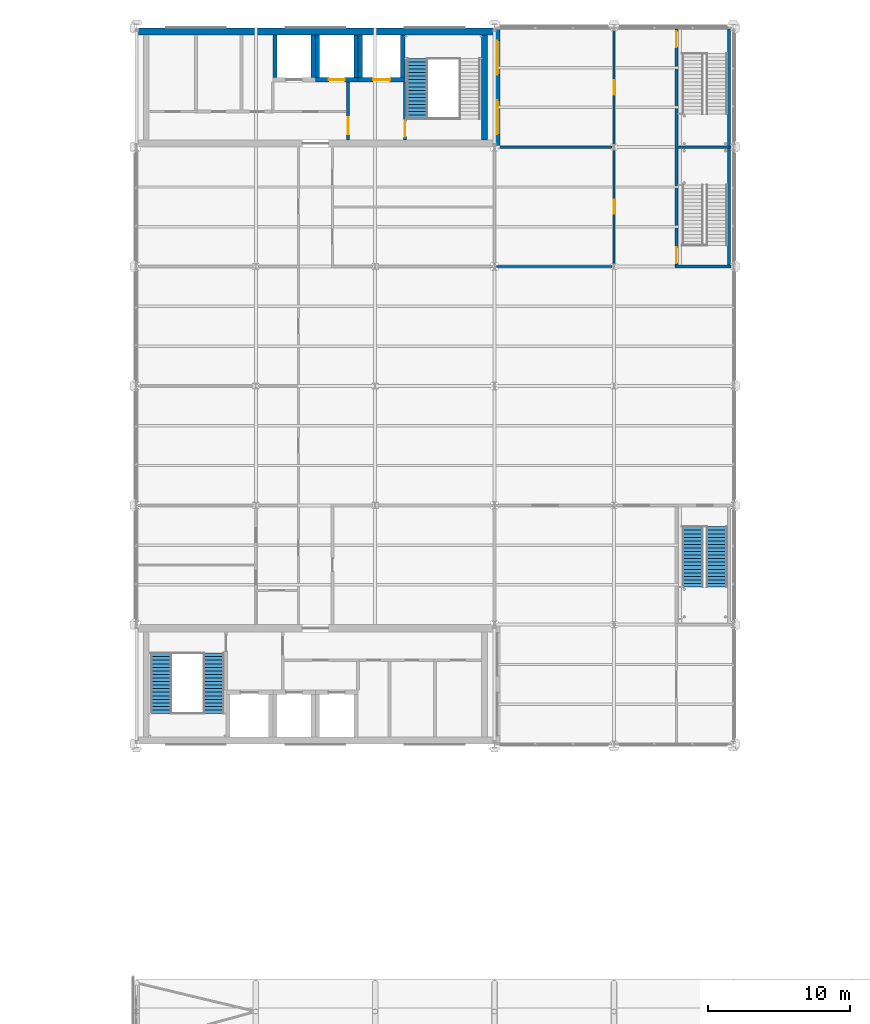
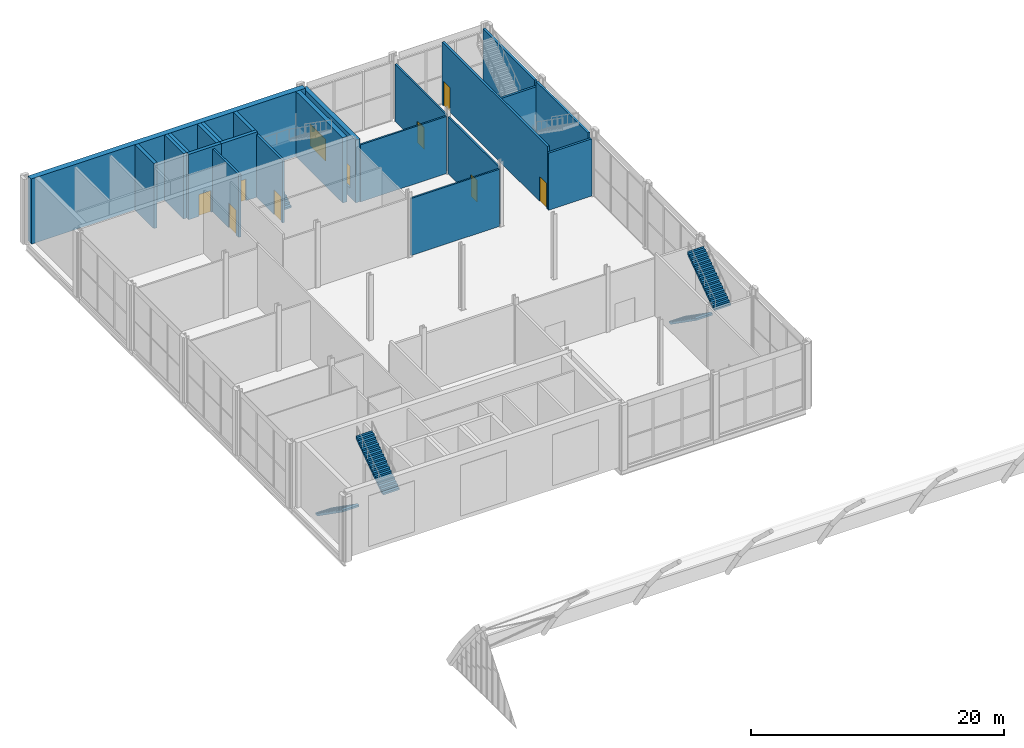
# One storey, part 68 of 77: 22 walls, 8 doors, 5 stair flights, 2 windows, 10 openings, 3 elements without a shape of their own.
"""IFC4 building model written with IfcOpenShell, lengths in metres."""

from ifc_helpers import new_model, si_unit, direction, frame, frame_2d, origin, place, context, subcontext, project, spatial, polyline, rectangle, outline, extrude, material, layer, layer_set, type_object, element, fill, aggregate, save


model = new_model("IFC4")

# Units and contexts
model_context = context("Model", 3, precision=1e-05, world=origin(), true_north=direction((0.0, 1.0)))
body_context = subcontext(model_context, "Body", "Model", "MODEL_VIEW")
ifc_project = project(units=[si_unit("LENGTHUNIT", "METRE"), si_unit("AREAUNIT", "SQUARE_METRE"), si_unit("VOLUMEUNIT", "CUBIC_METRE"), si_unit("PLANEANGLEUNIT", "RADIAN"), si_unit("MASSUNIT", "GRAM", prefix="KILO")], contexts=[model_context])

# Site, building, storey
site_placement = place(None, origin())
site = spatial("IfcSite", under=ifc_project, at=site_placement, CompositionType="ELEMENT")
building_placement = place(site_placement, origin())
building = spatial("IfcBuilding", under=site, at=building_placement, Name="Catenary Quay Ferry Terminal", CompositionType="ELEMENT")
storey_placement = place(building_placement, frame((0.0, 0.0, 10.800048828125)))
storey = spatial("IfcBuildingStorey", under=building, at=storey_placement, Name="L02", CompositionType="ELEMENT", Elevation=10.800048828125)

# Walls
ifc_material_1 = material(Name="Concrete C50/60", Category="concrete")
ifc_layer_1 = layer(ifc_material_1, 0.39990234375)
ifc_layer_set_1 = layer_set([ifc_layer_1], Name="Core wall 400")
wall_type_1 = type_object("IfcWallType", Name="Core wall 400", PredefinedType="SHEAR", material=ifc_layer_set_1)
wall_1_placement = place(storey_placement, frame((49.699951171875, 202.10009765625, 0.0), z_axis=(0.0, 0.0, 1.0), x_axis=(0.0, 1.0, 0.0)))
element("IfcWall", 1, at=wall_1_placement, inside=storey, type_object=wall_type_1, Name="Core wall N4", PredefinedType="SHEAR", context=body_context, shape_type="SweptSolid", body=[
    extrude(rectangle(XDim=7.39990234375, YDim=0.39990234375, at=frame_2d((3.699951171875, 0.0))), origin(), (0.0, 0.0, 1.0), 6.300048828125),
])
ifc_material_2 = material(Name="Concrete C50/60", Category="concrete")
ifc_layer_2 = layer(ifc_material_2, 0.5)
ifc_layer_set_2 = layer_set([ifc_layer_2], Name="Core wall 500")
wall_type_2 = type_object("IfcWallType", Name="Core wall 500", PredefinedType="SHEAR", material=ifc_layer_set_2)
wall_2_placement = place(storey_placement, frame((25.35009765625, 209.75, 0.0), z_axis=(0.0, 0.0, 1.0), x_axis=(1.0, 0.0, 0.0)))
element("IfcWall", 2, at=wall_2_placement, inside=storey, type_object=wall_type_2, Name="Core wall N2", PredefinedType="SHEAR", context=body_context, shape_type="SweptSolid", body=[
    extrude(rectangle(XDim=25.04296875, YDim=0.5, at=frame_2d((12.521484375, 0.0))), origin(), (0.0, 0.0, 1.0), 6.300048828125),
])

# Wall, openings, windows
ifc_material_3 = material(Name="Masonry and insulation", Category="masonry")
ifc_layer_3 = layer(ifc_material_3, 0.39990234375)
ifc_layer_set_3 = layer_set([ifc_layer_3], Name="EW2")
wall_type_3 = type_object("IfcWallType", Name="EW2", PredefinedType="SOLIDWALL", material=ifc_layer_set_3)
wall_3_placement = place(storey_placement, frame((50.60009765625, 201.60009765625, 0.0), z_axis=(0.0, 0.0, 1.0), x_axis=(0.0, 1.0, 0.0)))
wall_3 = element("IfcWall", 3, at=wall_3_placement, inside=storey, type_object=wall_type_3, Name="P36 wall WL191", PredefinedType="SOLIDWALL", context=body_context, shape_type="SweptSolid", body=[
    extrude(rectangle(XDim=8.39990234375, YDim=0.39990234375, at=frame_2d((4.199951171875, 0.0))), origin(), (0.0, 0.0, 1.0), 6.050048828125),
])
opening_1_placement = place(wall_3_placement, frame((0.89990234375, 0.0, 0.89990234375)))
opening_1 = element("IfcOpeningElement", 4, at=opening_1_placement, cuts=wall_3, Name="Opening W44", PredefinedType="OPENING", context=body_context, shape_type="SweptSolid", body=[
    extrude(rectangle(XDim=2.39990234375, YDim=2.10009765625, at=frame_2d((1.199951171875, 1.050048828125))), frame((0.0, 0.2099609375, 0.0), z_axis=(0.0, -1.0, 0.0), x_axis=(1.0, 0.0, 0.0)), (0.0, 0.0, 1.0), 0.419921875),
])
opening_2_placement = place(wall_3_placement, frame((5.10009765625, 0.0, 0.89990234375)))
opening_2 = element("IfcOpeningElement", 5, at=opening_2_placement, cuts=wall_3, Name="Opening W45", PredefinedType="OPENING", context=body_context, shape_type="SweptSolid", body=[
    extrude(rectangle(XDim=2.39990234375, YDim=2.10009765625, at=frame_2d((1.199951171875, 1.050048828125))), frame((0.0, 0.2099609375, 0.0), z_axis=(0.0, -1.0, 0.0), x_axis=(1.0, 0.0, 0.0)), (0.0, 0.0, 1.0), 0.419921875),
])
ifc_material_4 = material(Name="Aluminium and glass", Category="aluminium")
window_type = type_object("IfcWindowType", Name="WP2", PartitioningType="SINGLE_PANEL", PredefinedType="WINDOW", material=ifc_material_4)
window_1_placement = place(opening_1_placement, origin())
window_1 = element("IfcWindow", 6, at=window_1_placement, inside=storey, type_object=window_type, Name="P36 window W44", OverallHeight=2.10009765625, OverallWidth=2.39990234375, PartitioningType="SINGLE_PANEL", PredefinedType="WINDOW", context=body_context, shape_type="SweptSolid", body=[
    extrude(rectangle(XDim=2.39990234375, YDim=2.10009765625, at=frame_2d((1.199951171875, 1.050048828125))), frame((0.0, 0.030029296875, 0.0), z_axis=(0.0, -1.0, 0.0), x_axis=(1.0, 0.0, 0.0)), (0.0, 0.0, 1.0), 0.06005859375),
])
fill(opening_1, window_1)
window_2_placement = place(opening_2_placement, origin())
window_2 = element("IfcWindow", 7, at=window_2_placement, inside=storey, type_object=window_type, Name="P36 window W45", OverallHeight=2.10009765625, OverallWidth=2.39990234375, PartitioningType="SINGLE_PANEL", PredefinedType="WINDOW", context=body_context, shape_type="SweptSolid", body=[
    extrude(rectangle(XDim=2.39990234375, YDim=2.10009765625, at=frame_2d((1.199951171875, 1.050048828125))), frame((0.0, 0.030029296875, 0.0), z_axis=(0.0, -1.0, 0.0), x_axis=(1.0, 0.0, 0.0)), (0.0, 0.0, 1.0), 0.06005859375),
])
fill(opening_2, window_2)

# Walls
ifc_material_5 = material(Name="Concrete C35/45", Category="concrete")
ifc_layer_4 = layer(ifc_material_5, 0.199951171875)
ifc_layer_set_4 = layer_set([ifc_layer_4], Name="IP12")
wall_type_4 = type_object("IfcWallType", Name="IP12", PredefinedType="PARTITIONING", material=ifc_layer_set_4)
wall_4_placement = place(storey_placement, frame((63.10009765625, 193.199951171875, 0.0), z_axis=(0.0, 0.0, 1.0), x_axis=(1.0, 0.0, 0.0)))
element("IfcWall", 8, at=wall_4_placement, inside=storey, type_object=wall_type_4, Name="Stair wall L02 21", PredefinedType="PARTITIONING", context=body_context, shape_type="SweptSolid", body=[
    extrude(rectangle(XDim=3.949951171875, YDim=0.199951171875, at=frame_2d((1.97509765625, 0.0))), origin(), (0.0, 0.0, 1.0), 5.521728515625),
])
wall_5_placement = place(storey_placement, frame((63.300048828125, 201.60009765625, 0.0), z_axis=(0.0, 0.0, 1.0), x_axis=(1.0, 0.0, 0.0)))
element("IfcWall", 9, at=wall_5_placement, inside=storey, type_object=wall_type_4, Name="Stair wall L02 24", PredefinedType="PARTITIONING", context=body_context, shape_type="SweptSolid", body=[
    extrude(rectangle(XDim=3.75, YDim=0.199951171875, at=frame_2d((1.875, 0.0))), origin(), (0.0, 0.0, 1.0), 5.521728515625),
])

# Wall, openings, doors
wall_6_placement = place(storey_placement, frame((63.199951171875, 193.300048828125, 0.0), z_axis=(0.0, 0.0, 1.0), x_axis=(0.0, 1.0, 0.0)))
wall_6 = element("IfcWall", 10, at=wall_6_placement, inside=storey, type_object=wall_type_4, Name="Stair wall L02 50", PredefinedType="PARTITIONING", context=body_context, shape_type="SweptSolid", body=[
    extrude(rectangle(XDim=16.625, YDim=0.199951171875, at=frame_2d((8.3125, 0.0))), origin(), (0.0, 0.0, 1.0), 6.050048828125),
])
opening_3_placement = place(wall_6_placement, frame((0.14990234375, 0.0, 0.0)))
opening_3 = element("IfcOpeningElement", 11, at=opening_3_placement, cuts=wall_6, Name="Opening D188", PredefinedType="OPENING", context=body_context, shape_type="SweptSolid", body=[
    extrude(rectangle(XDim=1.10009765625, YDim=2.39990234375, at=frame_2d((0.550048828125, 1.199951171875))), frame((0.0, 0.10986328125, 0.0), z_axis=(0.0, -1.0, 0.0), x_axis=(1.0, 0.0, 0.0)), (0.0, 0.0, 1.0), 0.219970703125),
])
opening_4_placement = place(wall_6_placement, frame((15.35009765625, 0.0, 0.0)))
opening_4 = element("IfcOpeningElement", 12, at=opening_4_placement, cuts=wall_6, Name="Opening D189", PredefinedType="OPENING", context=body_context, shape_type="SweptSolid", body=[
    extrude(rectangle(XDim=1.10009765625, YDim=2.39990234375, at=frame_2d((0.550048828125, 1.199951171875))), frame((0.0, 0.10986328125, 0.0), z_axis=(0.0, -1.0, 0.0), x_axis=(1.0, 0.0, 0.0)), (0.0, 0.0, 1.0), 0.219970703125),
])
ifc_material_6 = material(Name="Steel", Category="steel")
door_type_1 = type_object("IfcDoorType", Name="DI4", OperationType="SINGLE_SWING_LEFT", PredefinedType="DOOR", material=ifc_material_6)
door_1_placement = place(opening_3_placement, frame((1.10009765625, 0.0, 0.0), z_axis=(0.0, 0.0, 1.0), x_axis=(-1.0, 0.0, 0.0)))
door_1 = element("IfcDoor", 13, at=door_1_placement, inside=storey, type_object=door_type_1, Name="Stair HS4 to East Passage", OperationType="SINGLE_SWING_RIGHT", OverallHeight=2.39990234375, OverallWidth=1.10009765625, PredefinedType="DOOR", context=body_context, shape_type="SweptSolid", body=[
    extrude(rectangle(XDim=1.10009765625, YDim=2.39990234375, at=frame_2d((0.550048828125, 1.199951171875))), frame((0.0, 0.02490234375, 0.0), z_axis=(0.0, -1.0, 0.0), x_axis=(1.0, 0.0, 0.0)), (0.0, 0.0, 1.0), 0.050048828125),
])
fill(opening_3, door_1)
door_2_placement = place(opening_4_placement, frame((1.10009765625, 0.0, 0.0), z_axis=(0.0, 0.0, 1.0), x_axis=(-1.0, 0.0, 0.0)))
door_2 = element("IfcDoor", 14, at=door_2_placement, inside=storey, type_object=door_type_1, Name="Stair HS5 to East Passage", OperationType="SINGLE_SWING_RIGHT", OverallHeight=2.39990234375, OverallWidth=1.10009765625, PredefinedType="DOOR", context=body_context, shape_type="SweptSolid", body=[
    extrude(rectangle(XDim=1.10009765625, YDim=2.39990234375, at=frame_2d((0.550048828125, 1.199951171875))), frame((0.0, 0.02490234375, 0.0), z_axis=(0.0, -1.0, 0.0), x_axis=(1.0, 0.0, 0.0)), (0.0, 0.0, 1.0), 0.050048828125),
])
fill(opening_4, door_2)

# Walls
for number, where, z_axis, x_axis, name in (
    (15, (66.89990234375, 193.300048828125, 0.0), (0.0, 0.0, 1.0), (0.0, 1.0, 0.0), "Stair wall L02 east 4"),
    (16, (66.89990234375, 201.699951171875, 0.0), (0.0, 0.0, 1.0), (0.0, 1.0, 0.0), "Stair wall L02 east 5"),
):
    element("IfcWall", number, at=place(storey_placement, frame(where, z_axis=z_axis, x_axis=x_axis)), inside=storey, type_object=wall_type_4, Name=name, PredefinedType="PARTITIONING", context=body_context, shape_type="SweptSolid", body=[
        extrude(rectangle(XDim=8.199951171875, YDim=0.199951171875, at=frame_2d((4.10009765625, 0.0))), origin(), (0.0, 0.0, 1.0), 6.050048828125),
    ])
ifc_material_7 = material(Name="Plasterboard on steel studs", Category="steel")
ifc_layer_5 = layer(ifc_material_7, 0.14990234375)
ifc_layer_set_5 = layer_set([ifc_layer_5], Name="IP3")
wall_type_5 = type_object("IfcWallType", Name="IP3", PredefinedType="PARTITIONING", material=ifc_layer_set_5)
wall_7_placement = place(storey_placement, frame((50.550048828125, 193.199951171875, 0.0), z_axis=(0.0, 0.0, 1.0), x_axis=(1.0, 0.0, 0.0)))
element("IfcWall", 17, at=wall_7_placement, inside=storey, type_object=wall_type_5, Name="Partition L02 20", PredefinedType="PARTITIONING", context=body_context, shape_type="SweptSolid", body=[
    extrude(rectangle(XDim=8.099853515625, YDim=0.14990234375, at=frame_2d((4.0498046875, 0.0))), origin(), (0.0, 0.0, 1.0), 5.521728515625),
])

# Wall, opening, door
wall_8_placement = place(storey_placement, frame((58.800048828125, 193.39990234375, 0.0), z_axis=(0.0, 0.0, 1.0), x_axis=(0.0, 1.0, 0.0)))
wall_8 = element("IfcWall", 18, at=wall_8_placement, inside=storey, type_object=wall_type_5, Name="Partition L02 46", PredefinedType="PARTITIONING", context=body_context, shape_type="SweptSolid", body=[
    extrude(rectangle(XDim=8.0, YDim=0.14990234375, at=frame_2d((4.0, 0.0))), origin(), (0.0, 0.0, 1.0), 5.521728515625),
])
opening_5_placement = place(wall_8_placement, frame((3.5, 0.0, 0.0)))
opening_5 = element("IfcOpeningElement", 19, at=opening_5_placement, cuts=wall_8, Name="Opening D185", PredefinedType="OPENING", context=body_context, shape_type="SweptSolid", body=[
    extrude(rectangle(XDim=1.0, YDim=2.10009765625, at=frame_2d((0.5, 1.050048828125))), frame((0.0, 0.0849609375, 0.0), z_axis=(0.0, -1.0, 0.0), x_axis=(1.0, 0.0, 0.0)), (0.0, 0.0, 1.0), 0.169921875),
])
ifc_material_8 = material(Name="Timber", Category="wood")
door_type_2 = type_object("IfcDoorType", Name="DI7", OperationType="SINGLE_SWING_LEFT", PredefinedType="DOOR", material=ifc_material_8)
door_3_placement = place(opening_5_placement, origin())
door_3 = element("IfcDoor", 20, at=door_3_placement, inside=storey, type_object=door_type_2, Name="Port Authority Library to East Passage", OperationType="SINGLE_SWING_LEFT", OverallHeight=2.10009765625, OverallWidth=1.0, PredefinedType="DOOR", context=body_context, shape_type="SweptSolid", body=[
    extrude(rectangle(XDim=1.0, YDim=2.10009765625, at=frame_2d((0.5, 1.050048828125))), frame((0.0, 0.02490234375, 0.0), z_axis=(0.0, -1.0, 0.0), x_axis=(1.0, 0.0, 0.0)), (0.0, 0.0, 1.0), 0.050048828125),
])
fill(opening_5, door_3)

wall_9_placement = place(storey_placement, frame((58.800048828125, 201.800048828125, 0.0), z_axis=(0.0, 0.0, 1.0), x_axis=(0.0, 1.0, 0.0)))
wall_9 = element("IfcWall", 21, at=wall_9_placement, inside=storey, type_object=wall_type_5, Name="Partition L02 47", PredefinedType="PARTITIONING", context=body_context, shape_type="SweptSolid", body=[
    extrude(rectangle(XDim=8.0, YDim=0.14990234375, at=frame_2d((4.0, 0.0))), origin(), (0.0, 0.0, 1.0), 5.521728515625),
])
opening_6_placement = place(wall_9_placement, frame((3.5, 0.0, 0.0)))
opening_6 = element("IfcOpeningElement", 22, at=opening_6_placement, cuts=wall_9, Name="Opening D186", PredefinedType="OPENING", context=body_context, shape_type="SweptSolid", body=[
    extrude(rectangle(XDim=1.0, YDim=2.10009765625, at=frame_2d((0.5, 1.050048828125))), frame((0.0, 0.0849609375, 0.0), z_axis=(0.0, -1.0, 0.0), x_axis=(1.0, 0.0, 0.0)), (0.0, 0.0, 1.0), 0.169921875),
])
door_4_placement = place(opening_6_placement, frame((1.0, 0.0, 0.0), z_axis=(0.0, 0.0, 1.0), x_axis=(-1.0, 0.0, 0.0)))
door_4 = element("IfcDoor", 23, at=door_4_placement, inside=storey, type_object=door_type_2, Name="Community Meeting Room to East Passage", OperationType="SINGLE_SWING_RIGHT", OverallHeight=2.10009765625, OverallWidth=1.0, PredefinedType="DOOR", context=body_context, shape_type="SweptSolid", body=[
    extrude(rectangle(XDim=1.0, YDim=2.10009765625, at=frame_2d((0.5, 1.050048828125))), frame((0.0, 0.02490234375, 0.0), z_axis=(0.0, -1.0, 0.0), x_axis=(1.0, 0.0, 0.0)), (0.0, 0.0, 1.0), 0.050048828125),
])
fill(opening_6, door_4)

ifc_material_9 = material(Name="Blockwork and plaster", Category="masonry")
ifc_layer_6 = layer(ifc_material_9, 0.199951171875)
ifc_layer_set_6 = layer_set([ifc_layer_6], Name="IP4")
wall_type_6 = type_object("IfcWallType", Name="IP4", PredefinedType="PARTITIONING", material=ifc_layer_set_6)
wall_10_placement = place(storey_placement, frame((40.10009765625, 202.10009765625, 0.0), z_axis=(0.0, 0.0, 1.0), x_axis=(0.0, 1.0, 0.0)))
wall_10 = element("IfcWall", 24, at=wall_10_placement, inside=storey, type_object=wall_type_6, Name="Partition L02 39", PredefinedType="PARTITIONING", context=body_context, shape_type="SweptSolid", body=[
    extrude(rectangle(XDim=4.099853515625, YDim=0.199951171875, at=frame_2d((2.0498046875, 0.0))), origin(), (0.0, 0.0, 1.0), 6.050048828125),
])
opening_7_placement = place(wall_10_placement, frame((0.39990234375, 0.0, 0.0)))
opening_7 = element("IfcOpeningElement", 25, at=opening_7_placement, cuts=wall_10, Name="Opening D161", PredefinedType="OPENING", context=body_context, shape_type="SweptSolid", body=[
    extrude(rectangle(XDim=1.199951171875, YDim=2.39990234375, at=frame_2d((0.60009765625, 1.199951171875))), frame((0.0, 0.10986328125, 0.0), z_axis=(0.0, -1.0, 0.0), x_axis=(1.0, 0.0, 0.0)), (0.0, 0.0, 1.0), 0.219970703125),
])
ifc_material_10 = material(Name="Steel and glass", Category="steel")
door_type_3 = type_object("IfcDoorType", Name="DI10", OperationType="SINGLE_SWING_LEFT", PredefinedType="DOOR", material=ifc_material_10)
door_5_placement = place(opening_7_placement, frame((1.199951171875, 0.0, 0.0), z_axis=(0.0, 0.0, 1.0), x_axis=(-1.0, 0.0, 0.0)))
door_5 = element("IfcDoor", 26, at=door_5_placement, inside=storey, type_object=door_type_3, Name="Fire-fighting Lobby N to Core Corridor N", OperationType="SINGLE_SWING_RIGHT", OverallHeight=2.39990234375, OverallWidth=1.199951171875, PredefinedType="DOOR", context=body_context, shape_type="SweptSolid", body=[
    extrude(rectangle(XDim=1.199951171875, YDim=2.39990234375, at=frame_2d((0.60009765625, 1.199951171875))), frame((0.0, 0.02490234375, 0.0), z_axis=(0.0, -1.0, 0.0), x_axis=(1.0, 0.0, 0.0)), (0.0, 0.0, 1.0), 0.050048828125),
])
fill(opening_7, door_5)

wall_11_placement = place(storey_placement, frame((44.10009765625, 202.10009765625, 0.0), z_axis=(0.0, 0.0, 1.0), x_axis=(0.0, 1.0, 0.0)))
wall_11 = element("IfcWall", 27, at=wall_11_placement, inside=storey, type_object=wall_type_6, Name="Partition L02 42", PredefinedType="PARTITIONING", context=body_context, shape_type="SweptSolid", body=[
    extrude(rectangle(XDim=4.099853515625, YDim=0.199951171875, at=frame_2d((2.0498046875, 0.0))), origin(), (0.0, 0.0, 1.0), 6.050048828125),
])
opening_8_placement = place(wall_11_placement, frame((0.25, 0.0, 0.0)))
opening_8 = element("IfcOpeningElement", 28, at=opening_8_placement, cuts=wall_11, Name="Opening D169", PredefinedType="OPENING", context=body_context, shape_type="SweptSolid", body=[
    extrude(rectangle(XDim=1.10009765625, YDim=2.39990234375, at=frame_2d((0.550048828125, 1.199951171875))), frame((0.0, 0.10986328125, 0.0), z_axis=(0.0, -1.0, 0.0), x_axis=(1.0, 0.0, 0.0)), (0.0, 0.0, 1.0), 0.219970703125),
])
door_6_placement = place(opening_8_placement, frame((1.10009765625, 0.0, 0.0), z_axis=(0.0, 0.0, 1.0), x_axis=(-1.0, 0.0, 0.0)))
door_6 = element("IfcDoor", 29, at=door_6_placement, inside=storey, type_object=door_type_1, Name="Stair HS1 to Fire-fighting Lobby N", OperationType="SINGLE_SWING_RIGHT", OverallHeight=2.39990234375, OverallWidth=1.10009765625, PredefinedType="DOOR", context=body_context, shape_type="SweptSolid", body=[
    extrude(rectangle(XDim=1.10009765625, YDim=2.39990234375, at=frame_2d((0.550048828125, 1.199951171875))), frame((0.0, 0.02490234375, 0.0), z_axis=(0.0, -1.0, 0.0), x_axis=(1.0, 0.0, 0.0)), (0.0, 0.0, 1.0), 0.050048828125),
])
fill(opening_8, door_6)

# Wall
ifc_material_11 = material(Name="Plasterboard on steel studs", Category="steel")
ifc_layer_7 = layer(ifc_material_11, 0.14990234375)
ifc_layer_set_7 = layer_set([ifc_layer_7], Name="IP7")
wall_type_7 = type_object("IfcWallType", Name="IP7", PredefinedType="PARTITIONING", material=ifc_layer_set_7)
wall_12_placement = place(storey_placement, frame((50.800048828125, 201.60009765625, 0.0), z_axis=(0.0, 0.0, 1.0), x_axis=(1.0, 0.0, 0.0)))
element("IfcWall", 30, at=wall_12_placement, inside=storey, type_object=wall_type_7, Name="Partition L02 23", PredefinedType="PARTITIONING", context=body_context, shape_type="SweptSolid", body=[
    extrude(rectangle(XDim=7.849853515625, YDim=0.14990234375, at=frame_2d((3.9248046875, 0.0))), origin(), (0.0, 0.0, 1.0), 5.521728515625),
])

# Wall, opening, door
ifc_material_12 = material(Name="Concrete C50/60", Category="concrete")
ifc_layer_8 = layer(ifc_material_12, 0.300048828125)
ifc_layer_set_8 = layer_set([ifc_layer_8], Name="Shaft wall 300")
wall_type_8 = type_object("IfcWallType", Name="Shaft wall 300", PredefinedType="SHEAR", material=ifc_layer_set_8)
wall_13_placement = place(storey_placement, frame((40.800048828125, 206.35009765625, 0.0), z_axis=(0.0, 0.0, 1.0), x_axis=(1.0, 0.0, 0.0)))
wall_13 = element("IfcWall", 31, at=wall_13_placement, inside=storey, type_object=wall_type_8, Name="Shaft wall FL2 S", PredefinedType="SHEAR", context=body_context, shape_type="SweptSolid", body=[
    extrude(rectangle(XDim=3.300048828125, YDim=0.300048828125, at=frame_2d((1.64990234375, 0.0))), origin(), (0.0, 0.0, 1.0), 6.300048828125),
])
opening_9_placement = place(wall_13_placement, frame((1.050048828125, 0.0, 0.0)))
opening_9 = element("IfcOpeningElement", 32, at=opening_9_placement, cuts=wall_13, Name="Opening LD12", PredefinedType="OPENING", context=body_context, shape_type="SweptSolid", body=[
    extrude(rectangle(XDim=1.199951171875, YDim=2.10009765625, at=frame_2d((0.60009765625, 1.050048828125))), frame((0.0, 0.159912109375, 0.0), z_axis=(0.0, -1.0, 0.0), x_axis=(1.0, 0.0, 0.0)), (0.0, 0.0, 1.0), 0.320068359375),
])
ifc_material_13 = material(Name="Stainless steel", Category="steel")
door_type_4 = type_object("IfcDoorType", Name="DL2", OperationType="SLIDING_TO_LEFT", PredefinedType="DOOR", material=ifc_material_13)
door_7_placement = place(opening_9_placement, origin())
door_7 = element("IfcDoor", 33, at=door_7_placement, inside=storey, type_object=door_type_4, Name="Lift FL2 landing door L02", OperationType="SLIDING_TO_LEFT", OverallHeight=2.10009765625, OverallWidth=1.199951171875, PredefinedType="DOOR", context=body_context, shape_type="SweptSolid", body=[
    extrude(rectangle(XDim=1.199951171875, YDim=2.10009765625, at=frame_2d((0.60009765625, 1.050048828125))), frame((0.0, 0.02490234375, 0.0), z_axis=(0.0, -1.0, 0.0), x_axis=(1.0, 0.0, 0.0)), (0.0, 0.0, 1.0), 0.050048828125),
])
fill(opening_9, door_7)

# Walls
for number, where, z_axis, x_axis, name in (
    (34, (43.949951171875, 206.5, 0.0), (0.0, 0.0, 1.0), (0.0, 1.0, 0.0), "Shaft wall FL2 E"),
    (35, (40.949951171875, 206.5, 0.0), (0.0, 0.0, 1.0), (0.0, 1.0, 0.0), "Shaft wall FL2 W"),
):
    element("IfcWall", number, at=place(storey_placement, frame(where, z_axis=z_axis, x_axis=x_axis)), inside=storey, type_object=wall_type_8, Name=name, PredefinedType="SHEAR", context=body_context, shape_type="SweptSolid", body=[
        extrude(rectangle(XDim=3.0, YDim=0.300048828125, at=frame_2d((1.5, 0.0))), origin(), (0.0, 0.0, 1.0), 6.300048828125),
    ])

# Wall, opening, door
wall_14_placement = place(storey_placement, frame((37.800048828125, 206.35009765625, 0.0), z_axis=(0.0, 0.0, 1.0), x_axis=(1.0, 0.0, 0.0)))
wall_14 = element("IfcWall", 36, at=wall_14_placement, inside=storey, type_object=wall_type_8, Name="Shaft wall GL3 S", PredefinedType="SHEAR", context=body_context, shape_type="SweptSolid", body=[
    extrude(rectangle(XDim=3.0, YDim=0.300048828125, at=frame_2d((1.5, 0.0))), origin(), (0.0, 0.0, 1.0), 6.300048828125),
])
opening_10_placement = place(wall_14_placement, frame((0.949951171875, 0.0, 0.0)))
opening_10 = element("IfcOpeningElement", 37, at=opening_10_placement, cuts=wall_14, Name="Opening LD27", PredefinedType="OPENING", context=body_context, shape_type="SweptSolid", body=[
    extrude(rectangle(XDim=1.10009765625, YDim=2.10009765625, at=frame_2d((0.550048828125, 1.050048828125))), frame((0.0, 0.159912109375, 0.0), z_axis=(0.0, -1.0, 0.0), x_axis=(1.0, 0.0, 0.0)), (0.0, 0.0, 1.0), 0.320068359375),
])
ifc_material_14 = material(Name="Stainless steel", Category="steel")
door_type_5 = type_object("IfcDoorType", Name="DL1", OperationType="SLIDING_TO_LEFT", PredefinedType="DOOR", material=ifc_material_14)
door_8_placement = place(opening_10_placement, origin())
door_8 = element("IfcDoor", 38, at=door_8_placement, inside=storey, type_object=door_type_5, Name="Lift GL3 landing door L02", OperationType="SLIDING_TO_LEFT", OverallHeight=2.10009765625, OverallWidth=1.10009765625, PredefinedType="DOOR", context=body_context, shape_type="SweptSolid", body=[
    extrude(rectangle(XDim=1.10009765625, YDim=2.10009765625, at=frame_2d((0.550048828125, 1.050048828125))), frame((0.0, 0.02490234375, 0.0), z_axis=(0.0, -1.0, 0.0), x_axis=(1.0, 0.0, 0.0)), (0.0, 0.0, 1.0), 0.050048828125),
])
fill(opening_10, door_8)

# Walls
for number, where, z_axis, x_axis, name in (
    (39, (40.64990234375, 206.5, 0.0), (0.0, 0.0, 1.0), (0.0, 1.0, 0.0), "Shaft wall GL3 E"),
    (40, (37.949951171875, 206.5, 0.0), (0.0, 0.0, 1.0), (0.0, 1.0, 0.0), "Shaft wall GL3 W"),
    (41, (37.64990234375, 206.5, 0.0), (0.0, 0.0, 1.0), (0.0, 1.0, 0.0), "Shaft wall GL4 E"),
    (42, (34.949951171875, 206.5, 0.0), (0.0, 0.0, 1.0), (0.0, 1.0, 0.0), "Shaft wall GL4 W"),
):
    element("IfcWall", number, at=place(storey_placement, frame(where, z_axis=z_axis, x_axis=x_axis)), inside=storey, type_object=wall_type_8, Name=name, PredefinedType="SHEAR", context=body_context, shape_type="SweptSolid", body=[
        extrude(rectangle(XDim=3.0, YDim=0.300048828125, at=frame_2d((1.5, 0.0))), origin(), (0.0, 0.0, 1.0), 6.300048828125),
    ])

# Stair, stair flight
ifc_material_15 = material(Name="Concrete C35/45", Category="concrete")
stair_type = type_object("IfcStairType", Name="STX1500", PredefinedType="HALF_TURN_STAIR", material=ifc_material_15)
stair_1_placement = place(storey_placement, origin())
stair_1 = element("IfcStair", 43, at=stair_1_placement, inside=storey, type_object=stair_type, Name="Stair HS1 L02 to L03", PredefinedType="HALF_TURN_STAIR")
ifc_material_16 = material(Name="Concrete C35/45", Category="concrete")
stair_flight_type = type_object("IfcStairFlightType", Name="SFX1500", PredefinedType="STRAIGHT", material=ifc_material_16)
stair_flight_1_placement = place(storey_placement, frame((44.949951171875, 203.60009765625, 0.0), z_axis=(0.0, 0.0, 1.0), x_axis=(0.0, 1.0, 0.0)))
stair_flight_1 = element("IfcStairFlight", 44, at=stair_flight_1_placement, type_object=stair_flight_type, Name="HS1-L02 flight 1", NumberOfRisers=18, NumberOfTreads=17, PredefinedType="STRAIGHT", RiserHeight=0.175, TreadLength=0.25, context=body_context, shape_type="SweptSolid", body=[
    extrude(outline(polyline([(-0.010009765625, 0.0), (-0.010009765625, 0.02490234375), (-0.010009765625, 0.050048828125), (-0.010009765625, 0.074951171875), (-0.010009765625, 0.10009765625), (-0.010009765625, 0.125), (-0.010009765625, 0.14990234375), (-0.010009765625, 0.175048828125), (0.0, 0.175048828125), (0.25, 0.175048828125), (0.25, 0.35009765625), (0.5, 0.35009765625), (0.5, 0.52490234375), (0.75, 0.52490234375), (0.75, 0.699951171875), (1.0, 0.699951171875), (1.0, 0.875), (1.25, 0.875), (1.25, 1.050048828125), (1.5, 1.050048828125), (1.5, 1.22509765625), (1.75, 1.22509765625), (1.75, 1.39990234375), (2.0, 1.39990234375), (2.0, 1.574951171875), (2.25, 1.574951171875), (2.25, 1.75), (2.5, 1.75), (2.5, 1.925048828125), (2.75, 1.925048828125), (2.75, 2.10009765625), (3.0, 2.10009765625), (3.0, 2.27490234375), (3.25, 2.27490234375), (3.25, 2.449951171875), (3.5, 2.449951171875), (3.5, 2.625), (3.75, 2.625), (3.75, 2.800048828125), (4.0, 2.800048828125), (4.0, 2.97509765625), (4.25, 2.97509765625), (4.25, 3.14990234375), (4.25, 3.098876953125), (4.25, 3.047607421875), (4.25, 2.99658203125), (4.25, 2.945556640625), (4.25, 2.894287109375), (4.25, 2.84326171875), (4.25, 2.7919921875), (0.261474609375, 0.0), (-0.010009765625, 0.0)])), frame((0.0, 0.75, 0.0), z_axis=(0.0, -1.0, 0.0), x_axis=(1.0, 0.0, 0.0)), (0.0, 0.0, 1.0), 1.5),
])
aggregate(stair_1, [stair_flight_1])

# Stair, stair flights
stair_2_placement = place(storey_placement, origin())
stair_2 = element("IfcStair", 45, at=stair_2_placement, inside=storey, type_object=stair_type, Name="Stair HS2 L02 to L03", PredefinedType="HALF_TURN_STAIR")
stair_flight_2_placement = place(storey_placement, frame((26.949951171875, 166.0, 0.0), z_axis=(0.0, 0.0, 1.0), x_axis=(0.0, -1.0, 0.0)))
stair_flight_2 = element("IfcStairFlight", 46, at=stair_flight_2_placement, type_object=stair_flight_type, Name="HS2-L02 flight 1", NumberOfRisers=18, NumberOfTreads=17, PredefinedType="STRAIGHT", RiserHeight=0.175, TreadLength=0.25, context=body_context, shape_type="SweptSolid", body=[
    extrude(outline(polyline([(-0.010009765625, 0.0), (-0.010009765625, 0.02490234375), (-0.010009765625, 0.050048828125), (-0.010009765625, 0.074951171875), (-0.010009765625, 0.10009765625), (-0.010009765625, 0.125), (-0.010009765625, 0.14990234375), (-0.010009765625, 0.175048828125), (0.0, 0.175048828125), (0.25, 0.175048828125), (0.25, 0.35009765625), (0.5, 0.35009765625), (0.5, 0.52490234375), (0.75, 0.52490234375), (0.75, 0.699951171875), (1.0, 0.699951171875), (1.0, 0.875), (1.25, 0.875), (1.25, 1.050048828125), (1.5, 1.050048828125), (1.5, 1.22509765625), (1.75, 1.22509765625), (1.75, 1.39990234375), (2.0, 1.39990234375), (2.0, 1.574951171875), (2.25, 1.574951171875), (2.25, 1.75), (2.5, 1.75), (2.5, 1.925048828125), (2.75, 1.925048828125), (2.75, 2.10009765625), (3.0, 2.10009765625), (3.0, 2.27490234375), (3.25, 2.27490234375), (3.25, 2.449951171875), (3.5, 2.449951171875), (3.5, 2.625), (3.75, 2.625), (3.75, 2.800048828125), (4.0, 2.800048828125), (4.0, 2.97509765625), (4.25, 2.97509765625), (4.25, 3.14990234375), (4.25, 3.098876953125), (4.25, 3.047607421875), (4.25, 2.99658203125), (4.25, 2.945556640625), (4.25, 2.894287109375), (4.25, 2.84326171875), (4.25, 2.7919921875), (0.261474609375, 0.0), (-0.010009765625, 0.0)])), frame((0.0, 0.75, 0.0), z_axis=(0.0, -1.0, 0.0), x_axis=(1.0, 0.0, 0.0)), (0.0, 0.0, 1.0), 1.5),
])
stair_flight_3_placement = place(storey_placement, frame((30.64990234375, 161.75, 3.14990234375), z_axis=(0.0, 0.0, 1.0), x_axis=(0.0, 1.0, 0.0)))
stair_flight_3 = element("IfcStairFlight", 47, at=stair_flight_3_placement, type_object=stair_flight_type, Name="HS2-L02 flight 2", NumberOfRisers=18, NumberOfTreads=17, PredefinedType="STRAIGHT", RiserHeight=0.175, TreadLength=0.25, context=body_context, shape_type="SweptSolid", body=[
    extrude(outline(polyline([(0.0, 0.0), (0.0, 0.02490234375), (0.0, 0.050048828125), (0.0, 0.074951171875), (0.0, 0.10009765625), (0.0, 0.125), (0.0, 0.14990234375), (0.0, 0.175048828125), (0.25, 0.175048828125), (0.25, 0.35009765625), (0.5, 0.35009765625), (0.5, 0.52490234375), (0.75, 0.52490234375), (0.75, 0.699951171875), (1.0, 0.699951171875), (1.0, 0.875), (1.25, 0.875), (1.25, 1.050048828125), (1.5, 1.050048828125), (1.5, 1.22509765625), (1.75, 1.22509765625), (1.75, 1.39990234375), (2.0, 1.39990234375), (2.0, 1.574951171875), (2.25, 1.574951171875), (2.25, 1.75), (2.5, 1.75), (2.5, 1.925048828125), (2.75, 1.925048828125), (2.75, 2.10009765625), (3.0, 2.10009765625), (3.0, 2.27490234375), (3.25, 2.27490234375), (3.25, 2.449951171875), (3.5, 2.449951171875), (3.5, 2.625), (3.75, 2.625), (3.75, 2.800048828125), (4.0, 2.800048828125), (4.0, 2.97509765625), (4.25, 2.97509765625), (4.25, 3.14990234375), (4.260009765625, 3.14990234375), (4.260009765625, 3.098876953125), (4.260009765625, 3.047607421875), (4.260009765625, 2.99658203125), (4.260009765625, 2.945556640625), (4.260009765625, 2.894287109375), (4.260009765625, 2.84326171875), (4.260009765625, 2.7919921875), (0.261474609375, 0.0), (0.0, 0.0)])), frame((0.0, 0.75, 0.0), z_axis=(0.0, -1.0, 0.0), x_axis=(1.0, 0.0, 0.0)), (0.0, 0.0, 1.0), 1.5),
])
aggregate(stair_2, [stair_flight_2, stair_flight_3])

stair_3_placement = place(storey_placement, origin())
stair_3 = element("IfcStair", 48, at=stair_3_placement, inside=storey, type_object=stair_type, Name="Stair HS3 L02 to L03", PredefinedType="HALF_TURN_STAIR")
stair_flight_4_placement = place(storey_placement, frame((64.35009765625, 174.89990234375, 0.0), z_axis=(0.0, 0.0, 1.0), x_axis=(0.0, -1.0, 0.0)))
stair_flight_4 = element("IfcStairFlight", 49, at=stair_flight_4_placement, type_object=stair_flight_type, Name="HS3-L02 flight 1", NumberOfRisers=18, NumberOfTreads=17, PredefinedType="STRAIGHT", RiserHeight=0.175, TreadLength=0.25, context=body_context, shape_type="SweptSolid", body=[
    extrude(outline(polyline([(-0.010009765625, 0.0), (-0.010009765625, 0.02490234375), (-0.010009765625, 0.050048828125), (-0.010009765625, 0.074951171875), (-0.010009765625, 0.10009765625), (-0.010009765625, 0.125), (-0.010009765625, 0.14990234375), (-0.010009765625, 0.175048828125), (0.0, 0.175048828125), (0.25, 0.175048828125), (0.25, 0.35009765625), (0.5, 0.35009765625), (0.5, 0.52490234375), (0.75, 0.52490234375), (0.75, 0.699951171875), (1.0, 0.699951171875), (1.0, 0.875), (1.25, 0.875), (1.25, 1.050048828125), (1.5, 1.050048828125), (1.5, 1.22509765625), (1.75, 1.22509765625), (1.75, 1.39990234375), (2.0, 1.39990234375), (2.0, 1.574951171875), (2.25, 1.574951171875), (2.25, 1.75), (2.5, 1.75), (2.5, 1.925048828125), (2.75, 1.925048828125), (2.75, 2.10009765625), (3.0, 2.10009765625), (3.0, 2.27490234375), (3.25, 2.27490234375), (3.25, 2.449951171875), (3.5, 2.449951171875), (3.5, 2.625), (3.75, 2.625), (3.75, 2.800048828125), (4.0, 2.800048828125), (4.0, 2.97509765625), (4.25, 2.97509765625), (4.25, 3.14990234375), (4.25, 3.098876953125), (4.25, 3.047607421875), (4.25, 2.99658203125), (4.25, 2.945556640625), (4.25, 2.894287109375), (4.25, 2.84326171875), (4.25, 2.7919921875), (0.261474609375, 0.0), (-0.010009765625, 0.0)])), frame((0.0, 0.75, 0.0), z_axis=(0.0, -1.0, 0.0), x_axis=(1.0, 0.0, 0.0)), (0.0, 0.0, 1.0), 1.5),
])
stair_flight_5_placement = place(storey_placement, frame((66.050048828125, 170.64990234375, 3.14990234375), z_axis=(0.0, 0.0, 1.0), x_axis=(0.0, 1.0, 0.0)))
stair_flight_5 = element("IfcStairFlight", 50, at=stair_flight_5_placement, type_object=stair_flight_type, Name="HS3-L02 flight 2", NumberOfRisers=18, NumberOfTreads=17, PredefinedType="STRAIGHT", RiserHeight=0.175, TreadLength=0.25, context=body_context, shape_type="SweptSolid", body=[
    extrude(outline(polyline([(0.0, 0.0), (0.0, 0.02490234375), (0.0, 0.050048828125), (0.0, 0.074951171875), (0.0, 0.10009765625), (0.0, 0.125), (0.0, 0.14990234375), (0.0, 0.175048828125), (0.25, 0.175048828125), (0.25, 0.35009765625), (0.5, 0.35009765625), (0.5, 0.52490234375), (0.75, 0.52490234375), (0.75, 0.699951171875), (1.0, 0.699951171875), (1.0, 0.875), (1.25, 0.875), (1.25, 1.050048828125), (1.5, 1.050048828125), (1.5, 1.22509765625), (1.75, 1.22509765625), (1.75, 1.39990234375), (2.0, 1.39990234375), (2.0, 1.574951171875), (2.25, 1.574951171875), (2.25, 1.75), (2.5, 1.75), (2.5, 1.925048828125), (2.75, 1.925048828125), (2.75, 2.10009765625), (3.0, 2.10009765625), (3.0, 2.27490234375), (3.25, 2.27490234375), (3.25, 2.449951171875), (3.5, 2.449951171875), (3.5, 2.625), (3.75, 2.625), (3.75, 2.800048828125), (4.0, 2.800048828125), (4.0, 2.97509765625), (4.25, 2.97509765625), (4.25, 3.14990234375), (4.260009765625, 3.14990234375), (4.260009765625, 3.098876953125), (4.260009765625, 3.047607421875), (4.260009765625, 2.99658203125), (4.260009765625, 2.945556640625), (4.260009765625, 2.894287109375), (4.260009765625, 2.84326171875), (4.260009765625, 2.7919921875), (0.261474609375, 0.0), (0.0, 0.0)])), frame((0.0, 0.75, 0.0), z_axis=(0.0, -1.0, 0.0), x_axis=(1.0, 0.0, 0.0)), (0.0, 0.0, 1.0), 1.5),
])
aggregate(stair_3, [stair_flight_4, stair_flight_5])

save(model, "model.ifc")
